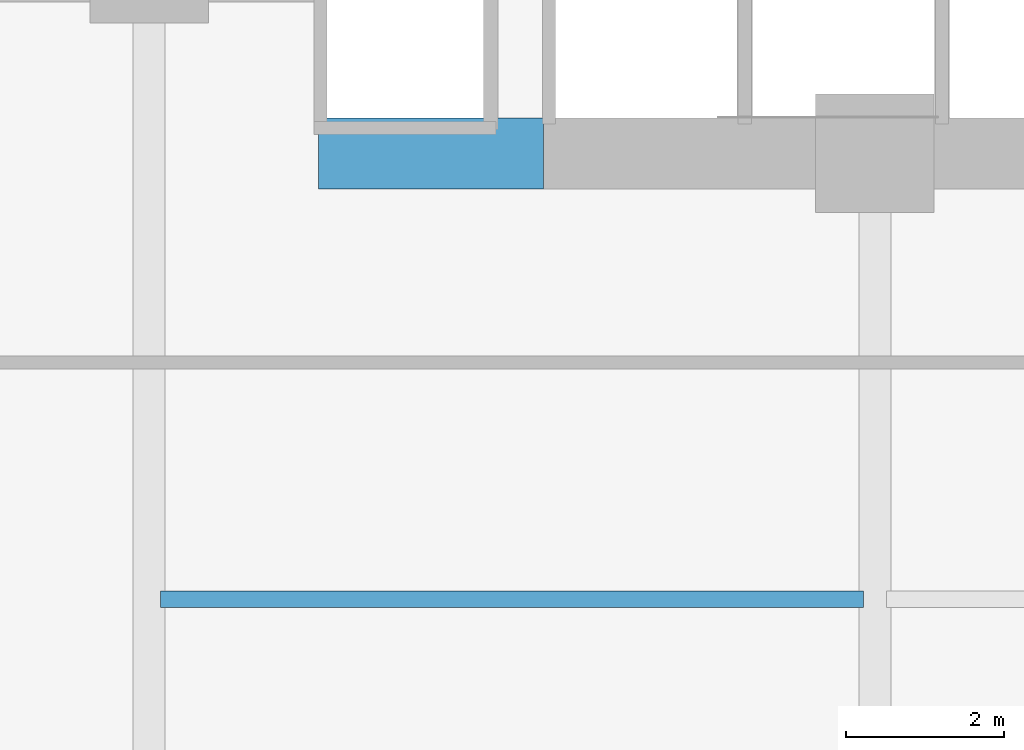
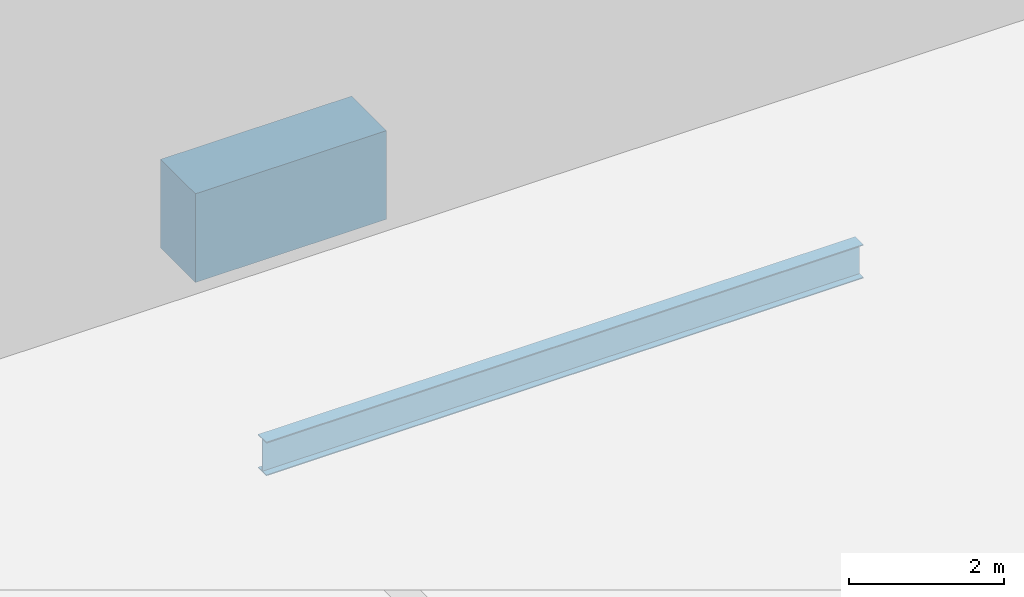
# One storey, part 7 of 30: 2 beams.
"""IFC4 building model written with IfcOpenShell, lengths in metres."""

from ifc_helpers import new_model, si_unit, direction, frame, origin, origin_2d, place, context, subcontext, project, spatial, rectangle, i_section, extrude, material, material_profile, profile_set, type_object, element, save


model = new_model("IFC4")

# Units and contexts
model_context = context("Model", 3, precision=1e-05, world=origin(), true_north=direction((0.0, 1.0)))
body_context = subcontext(model_context, "Body", "Model", "MODEL_VIEW")
ifc_project = project(units=[si_unit("LENGTHUNIT", "METRE"), si_unit("AREAUNIT", "SQUARE_METRE"), si_unit("VOLUMEUNIT", "CUBIC_METRE"), si_unit("PLANEANGLEUNIT", "RADIAN"), si_unit("MASSUNIT", "GRAM", prefix="KILO")], contexts=[model_context])

# Site, building, storey
site_placement = place(None, origin())
site = spatial("IfcSite", under=ifc_project, at=site_placement, CompositionType="ELEMENT")
building_placement = place(site_placement, origin())
building = spatial("IfcBuilding", under=site, at=building_placement, Name="Zuhayl Quay Hotel", CompositionType="ELEMENT")
storey_placement = place(building_placement, frame((0.0, 0.0, 11.39990234375)))
storey = spatial("IfcBuildingStorey", under=building, at=storey_placement, Name="L02", CompositionType="ELEMENT", Elevation=11.39990234375)

# Beams
ifc_material_1 = material(Name="Concrete C60/75", Category="concrete")
ifc_material_profile_1 = material_profile(ifc_material_1, rectangle(XDim=0.89990234375, YDim=1.39990234375, at=origin_2d()), Name="RC900X1400")
ifc_profile_set_1 = profile_set([ifc_material_profile_1], Name="Concrete C60/75")
beam_type_1 = type_object("IfcBeamType", Name="BM_CB1_RC900", PredefinedType="T_BEAM", material=ifc_profile_set_1)
beam_1_placement = place(storey_placement, frame((-11.64990234375, 2.14990234375, -0.9599609375), z_axis=(1.0, 0.0, 0.0), x_axis=(0.0, 1.0, 0.0)))
element("IfcBeam", 1, at=beam_1_placement, inside=storey, type_object=beam_type_1, Name="L02 Core Coupling Beam SW", PredefinedType="T_BEAM", context=body_context, shape_type="SweptSolid", body=[
    extrude(rectangle(XDim=0.89990234375, YDim=1.39990234375, at=origin_2d()), origin(), (0.0, 0.0, 1.0), 2.849853515625),
])
ifc_material_2 = material(Name="Steel ASTM A992 Grade 50", Category="steel")
ifc_material_profile_2 = material_profile(ifc_material_2, i_section(OverallWidth=0.208984375, OverallDepth=0.532958984375, WebThickness=0.01025390625, FlangeThickness=0.015625, at=origin_2d()), Name="W21X62")
ifc_profile_set_2 = profile_set([ifc_material_profile_2], Name="Steel ASTM A992 Grade 50")
beam_type_2 = type_object("IfcBeamType", Name="BM_J1_W21X62", PredefinedType="JOIST", material=ifc_profile_set_2)
beam_2_placement = place(storey_placement, frame((-13.654541015625, -3.5, -0.5263671875), z_axis=(1.0, 0.0, 0.0), x_axis=(0.0, 1.0, 0.0)))
element("IfcBeam", 2, at=beam_2_placement, inside=storey, type_object=beam_type_2, Name="L02 Floor Beam J_POD_L02_3_1", PredefinedType="JOIST", context=body_context, shape_type="SweptSolid", body=[
    extrude(i_section(OverallWidth=0.208984375, OverallDepth=0.532958984375, WebThickness=0.01025390625, FlangeThickness=0.015625, at=origin_2d()), origin(), (0.0, 0.0, 1.0), 8.908935546875),
])

save(model, "model.ifc")
